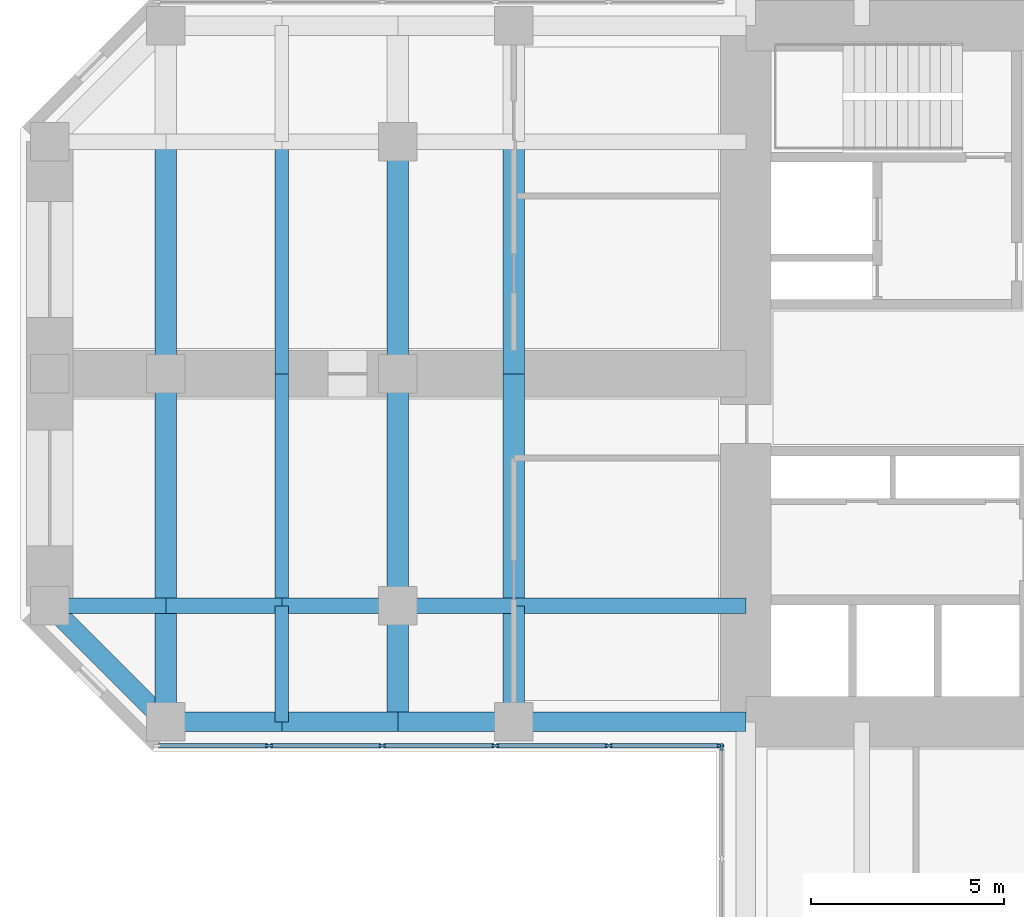
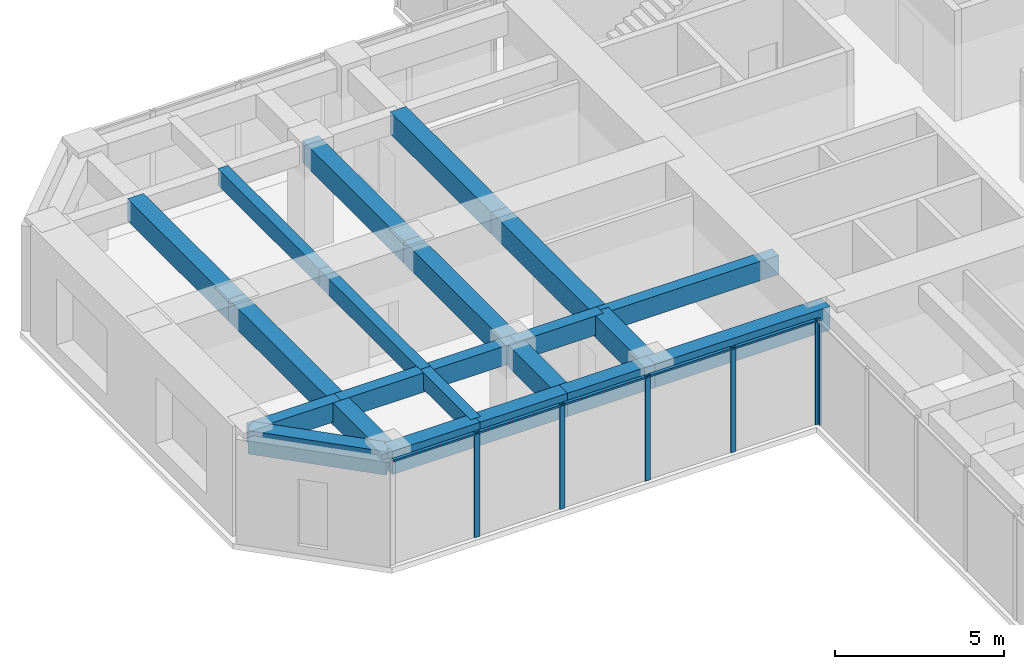
# One storey, part 3 of 12: 22 beams, 11 members, 2 elements without a shape of their own.
"""IFC4 building model written with IfcOpenShell, lengths in metres."""

from ifc_helpers import new_model, si_unit, direction, frame, origin, origin_2d, place, context, subcontext, project, spatial, rectangle, extrude, material, material_profile, profile_set, type_object, element, aggregate, save


model = new_model("IFC4")

# Units and contexts
model_context = context("Model", 3, precision=1e-05, world=origin(), true_north=direction((0.0, 1.0)))
body_context = subcontext(model_context, "Body", "Model", "MODEL_VIEW")
ifc_project = project(units=[si_unit("LENGTHUNIT", "METRE"), si_unit("AREAUNIT", "SQUARE_METRE"), si_unit("VOLUMEUNIT", "CUBIC_METRE"), si_unit("PLANEANGLEUNIT", "RADIAN"), si_unit("MASSUNIT", "GRAM", prefix="KILO")], contexts=[model_context])

# Site, building, storey
site_placement = place(None, origin())
site = spatial("IfcSite", under=ifc_project, at=site_placement, CompositionType="ELEMENT")
building_placement = place(site_placement, origin())
building = spatial("IfcBuilding", under=site, at=building_placement, Name="Torre Cruceta", CompositionType="ELEMENT")
storey_placement = place(building_placement, frame((0.0, 0.0, 116.5)))
storey = spatial("IfcBuildingStorey", under=building, at=storey_placement, Name="L28", CompositionType="ELEMENT", Elevation=116.5)

# Beams
ifc_material_1 = material(Name="Concrete G60 (fck 60 MPa)", Category="concrete")
ifc_material_profile_1 = material_profile(ifc_material_1, rectangle(XDim=0.39990234375, YDim=0.699951171875, at=origin_2d()), Name="RC 400X700")
ifc_profile_set_1 = profile_set([ifc_material_profile_1], Name="Concrete G60 (fck 60 MPa)")
beam_type_1 = type_object("IfcBeamType", Name="COLUMN LINE BEAM RC 400X700", PredefinedType="BEAM", material=ifc_profile_set_1)
beam_1_placement = place(storey_placement, frame((-9.0, -6.0, 3.449951171875), z_axis=(-1.0, 0.0, 0.0), x_axis=(0.0, -1.0, 0.0)))
element("IfcBeam", 1, at=beam_1_placement, inside=storey, type_object=beam_type_1, Name="LB5 L28 W col+ 1", PredefinedType="BEAM", context=body_context, shape_type="SweptSolid", body=[
    extrude(rectangle(XDim=0.39990234375, YDim=0.699951171875, at=origin_2d()), origin(), (0.0, 0.0, 1.0), 6.0),
])
for number, where, z_axis, x_axis, name in (
    (2, (-15.0, -6.0, 3.449951171875), (-1.0, 0.0, 0.0), (0.0, -1.0, 0.0), "LB5 L28 W col+ 2"),
    (3, (-18.0, -6.0, 3.449951171875), (-1.0, 0.0, 0.0), (0.0, -1.0, 0.0), "LB5 L28 W col+ 3"),
    (4, (-21.0, -6.0, 3.449951171875), (-1.0, 0.0, 0.0), (0.0, -1.0, 0.0), "LB5 L28 W col+ 4"),
    (5, (-24.0, -6.0, 3.449951171875), (-1.0, 0.0, 0.0), (0.0, -1.0, 0.0), "LB5 L28 W col+ 5"),
):
    element("IfcBeam", number, at=place(storey_placement, frame(where, z_axis=z_axis, x_axis=x_axis)), inside=storey, type_object=beam_type_1, Name=name, PredefinedType="BEAM", context=body_context, shape_type="SweptSolid", body=[
        extrude(rectangle(XDim=0.39990234375, YDim=0.699951171875, at=origin_2d()), origin(), (0.0, 0.0, 1.0), 3.0),
    ])
ifc_material_2 = material(Name="Concrete G60 (fck 60 MPa)", Category="concrete")
ifc_material_profile_2 = material_profile(ifc_material_2, rectangle(XDim=0.550048828125, YDim=0.800048828125, at=origin_2d()), Name="RC 550X800")
ifc_profile_set_2 = profile_set([ifc_material_profile_2], Name="Concrete G60 (fck 60 MPa)")
beam_type_2 = type_object("IfcBeamType", Name="CROSS BEAM RC 550X800", PredefinedType="BEAM", material=ifc_profile_set_2)
for number, where, z_axis, x_axis, name in (
    (6, (-15.0, 6.0, 3.39990234375), (0.0, -1.0, 0.0), (1.0, 0.0, 0.0), "GB5 L28 W cross15 2"),
    (7, (-15.0, 0.0, 3.39990234375), (0.0, -1.0, 0.0), (1.0, 0.0, 0.0), "GB5 L28 W cross15 3"),
):
    element("IfcBeam", number, at=place(storey_placement, frame(where, z_axis=z_axis, x_axis=x_axis)), inside=storey, type_object=beam_type_2, Name=name, PredefinedType="BEAM", context=body_context, shape_type="SweptSolid", body=[
        extrude(rectangle(XDim=0.550048828125, YDim=0.800048828125, at=origin_2d()), origin(), (0.0, 0.0, 1.0), 6.0),
    ])
beam_2_placement = place(storey_placement, frame((-15.0, -6.0, 3.39990234375), z_axis=(0.0, -1.0, 0.0), x_axis=(1.0, 0.0, 0.0)))
element("IfcBeam", 8, at=beam_2_placement, inside=storey, type_object=beam_type_2, Name="GB5 L28 W cross15 4", PredefinedType="BEAM", context=body_context, shape_type="SweptSolid", body=[
    extrude(rectangle(XDim=0.550048828125, YDim=0.800048828125, at=origin_2d()), origin(), (0.0, 0.0, 1.0), 3.0),
])
for number, where, z_axis, x_axis, name in (
    (9, (-18.0, 6.0, 3.39990234375), (0.0, -1.0, 0.0), (1.0, 0.0, 0.0), "GB5 L28 W cross18 2"),
    (10, (-18.0, 0.0, 3.39990234375), (0.0, -1.0, 0.0), (1.0, 0.0, 0.0), "GB5 L28 W cross18 3"),
):
    element("IfcBeam", number, at=place(storey_placement, frame(where, z_axis=z_axis, x_axis=x_axis)), inside=storey, type_object=beam_type_2, Name=name, PredefinedType="BEAM", context=body_context, shape_type="SweptSolid", body=[
        extrude(rectangle(XDim=0.550048828125, YDim=0.800048828125, at=origin_2d()), origin(), (0.0, 0.0, 1.0), 6.0),
    ])
beam_3_placement = place(storey_placement, frame((-18.0, -6.0, 3.39990234375), z_axis=(0.0, -1.0, 0.0), x_axis=(1.0, 0.0, 0.0)))
element("IfcBeam", 11, at=beam_3_placement, inside=storey, type_object=beam_type_2, Name="GB5 L28 W cross18 4", PredefinedType="BEAM", context=body_context, shape_type="SweptSolid", body=[
    extrude(rectangle(XDim=0.550048828125, YDim=0.800048828125, at=origin_2d()), origin(), (0.0, 0.0, 1.0), 3.0),
])
for number, where, z_axis, x_axis, name in (
    (12, (-24.0, 6.0, 3.39990234375), (0.0, -1.0, 0.0), (1.0, 0.0, 0.0), "GB5 L28 W cross24 2"),
    (13, (-24.0, 0.0, 3.39990234375), (0.0, -1.0, 0.0), (1.0, 0.0, 0.0), "GB5 L28 W cross24 3"),
):
    element("IfcBeam", number, at=place(storey_placement, frame(where, z_axis=z_axis, x_axis=x_axis)), inside=storey, type_object=beam_type_2, Name=name, PredefinedType="BEAM", context=body_context, shape_type="SweptSolid", body=[
        extrude(rectangle(XDim=0.550048828125, YDim=0.800048828125, at=origin_2d()), origin(), (0.0, 0.0, 1.0), 6.0),
    ])
beam_4_placement = place(storey_placement, frame((-24.0, -6.0, 3.39990234375), z_axis=(0.0, -1.0, 0.0), x_axis=(1.0, 0.0, 0.0)))
element("IfcBeam", 14, at=beam_4_placement, inside=storey, type_object=beam_type_2, Name="GB5 L28 W cross24 4", PredefinedType="BEAM", context=body_context, shape_type="SweptSolid", body=[
    extrude(rectangle(XDim=0.550048828125, YDim=0.800048828125, at=origin_2d()), origin(), (0.0, 0.0, 1.0), 3.0),
])

# Curtain wall, members
ifc_material_3 = material(Name="Aluminium unitised curtain wall", Category="aluminium")
curtain_wall_type = type_object("IfcCurtainWallType", Name="CURTAIN WALL CW-B OFFICE MID RISE", PredefinedType="USERDEFINED", material=ifc_material_3)
curtain_wall_1_placement = place(storey_placement, origin())
curtain_wall_1 = element("IfcCurtainWall", 15, at=curtain_wall_1_placement, inside=storey, type_object=curtain_wall_type, Name="CW-B L28 W side 14", ObjectType="UNITISED", PredefinedType="USERDEFINED")
ifc_material_4 = material(Name="Aluminium mullion", Category="aluminium")
ifc_material_profile_3 = material_profile(ifc_material_4, rectangle(XDim=0.06494140625, YDim=0.179931640625, at=origin_2d()), Name="AL 65X180")
ifc_profile_set_3 = profile_set([ifc_material_profile_3], Name="Aluminium mullion")
member_type_1 = type_object("IfcMemberType", Name="CW-B MULLION 65X180", PredefinedType="MULLION", material=ifc_profile_set_3)
member_1_placement = place(storey_placement, frame((-21.329345703125, -9.6201171875, 0.0), z_axis=(0.0, 0.0, 1.0), x_axis=(0.0, 1.0, 0.0)))
member_1 = element("IfcMember", 16, at=member_1_placement, type_object=member_type_1, Name="CW-B mullion 2", PredefinedType="MULLION", context=body_context, shape_type="SweptSolid", body=[
    extrude(rectangle(XDim=0.06494140625, YDim=0.179931640625, at=origin_2d()), origin(), (0.0, 0.0, 1.0), 3.800048828125),
])
member_2_placement = place(storey_placement, frame((-18.402099609375, -9.6201171875, 0.0), z_axis=(0.0, 0.0, 1.0), x_axis=(0.0, 1.0, 0.0)))
member_2 = element("IfcMember", 17, at=member_2_placement, type_object=member_type_1, Name="CW-B mullion 3", PredefinedType="MULLION", context=body_context, shape_type="SweptSolid", body=[
    extrude(rectangle(XDim=0.06494140625, YDim=0.179931640625, at=origin_2d()), origin(), (0.0, 0.0, 1.0), 3.800048828125),
])
member_3_placement = place(storey_placement, frame((-15.474609375, -9.6201171875, 0.0), z_axis=(0.0, 0.0, 1.0), x_axis=(0.0, 1.0, 0.0)))
member_3 = element("IfcMember", 18, at=member_3_placement, type_object=member_type_1, Name="CW-B mullion 4", PredefinedType="MULLION", context=body_context, shape_type="SweptSolid", body=[
    extrude(rectangle(XDim=0.06494140625, YDim=0.179931640625, at=origin_2d()), origin(), (0.0, 0.0, 1.0), 3.800048828125),
])
member_4_placement = place(storey_placement, frame((-12.54736328125, -9.6201171875, 0.0), z_axis=(0.0, 0.0, 1.0), x_axis=(0.0, 1.0, 0.0)))
member_4 = element("IfcMember", 19, at=member_4_placement, type_object=member_type_1, Name="CW-B mullion 5", PredefinedType="MULLION", context=body_context, shape_type="SweptSolid", body=[
    extrude(rectangle(XDim=0.06494140625, YDim=0.179931640625, at=origin_2d()), origin(), (0.0, 0.0, 1.0), 3.800048828125),
])
member_5_placement = place(storey_placement, frame((-9.652587890625, -9.6201171875, 0.0), z_axis=(0.0, 0.0, 1.0), x_axis=(0.0, 1.0, 0.0)))
member_5 = element("IfcMember", 20, at=member_5_placement, type_object=member_type_1, Name="CW-B mullion 6", PredefinedType="MULLION", context=body_context, shape_type="SweptSolid", body=[
    extrude(rectangle(XDim=0.06494140625, YDim=0.179931640625, at=origin_2d()), origin(), (0.0, 0.0, 1.0), 3.800048828125),
])

# Curtain wall, member
curtain_wall_2_placement = place(storey_placement, origin())
curtain_wall_2 = element("IfcCurtainWall", 21, at=curtain_wall_2_placement, inside=storey, type_object=curtain_wall_type, Name="CW-B L28 S side 15", ObjectType="UNITISED", PredefinedType="USERDEFINED")
member_6_placement = place(storey_placement, frame((-9.6201171875, -9.652587890625, 0.0), z_axis=(0.0, 0.0, 1.0), x_axis=(1.0, 0.0, 0.0)))
member_6 = element("IfcMember", 22, at=member_6_placement, type_object=member_type_1, Name="CW-B mullion 1", PredefinedType="MULLION", context=body_context, shape_type="SweptSolid", body=[
    extrude(rectangle(XDim=0.06494140625, YDim=0.179931640625, at=origin_2d()), origin(), (0.0, 0.0, 1.0), 3.800048828125),
])
aggregate(curtain_wall_2, [member_6])

# Member
ifc_material_5 = material(Name="Aluminium transom", Category="aluminium")
ifc_material_profile_4 = material_profile(ifc_material_5, rectangle(XDim=0.110107421875, YDim=0.06494140625, at=origin_2d()), Name="AL 110X65")
ifc_profile_set_4 = profile_set([ifc_material_profile_4], Name="Aluminium transom")
member_type_2 = type_object("IfcMemberType", Name="CW-B TRANSOM 65X110", PredefinedType="USERDEFINED", material=ifc_profile_set_4)
member_7_placement = place(storey_placement, frame((-24.19189453125, -9.6201171875, 3.767578125), z_axis=(1.0, 0.0, 0.0), x_axis=(0.0, 1.0, 0.0)))
member_7 = element("IfcMember", 23, at=member_7_placement, type_object=member_type_2, Name="CW-B transom 1", ObjectType="TRANSOM", PredefinedType="USERDEFINED", context=body_context, shape_type="SweptSolid", body=[
    extrude(rectangle(XDim=0.110107421875, YDim=0.06494140625, at=origin_2d()), origin(), (0.0, 0.0, 1.0), 2.829833984375),
])

member_8_placement = place(storey_placement, frame((-21.296875, -9.6201171875, 3.767578125), z_axis=(1.0, 0.0, 0.0), x_axis=(0.0, 1.0, 0.0)))
member_8 = element("IfcMember", 24, at=member_8_placement, type_object=member_type_2, Name="CW-B transom 2", ObjectType="TRANSOM", PredefinedType="USERDEFINED", context=body_context, shape_type="SweptSolid", body=[
    extrude(rectangle(XDim=0.110107421875, YDim=0.06494140625, at=origin_2d()), origin(), (0.0, 0.0, 1.0), 2.8623046875),
])

member_9_placement = place(storey_placement, frame((-18.36962890625, -9.6201171875, 3.767578125), z_axis=(1.0, 0.0, 0.0), x_axis=(0.0, 1.0, 0.0)))
member_9 = element("IfcMember", 25, at=member_9_placement, type_object=member_type_2, Name="CW-B transom 3", ObjectType="TRANSOM", PredefinedType="USERDEFINED", context=body_context, shape_type="SweptSolid", body=[
    extrude(rectangle(XDim=0.110107421875, YDim=0.06494140625, at=origin_2d()), origin(), (0.0, 0.0, 1.0), 2.8623046875),
])

member_10_placement = place(storey_placement, frame((-15.442138671875, -9.6201171875, 3.767578125), z_axis=(1.0, 0.0, 0.0), x_axis=(0.0, 1.0, 0.0)))
member_10 = element("IfcMember", 26, at=member_10_placement, type_object=member_type_2, Name="CW-B transom 4", ObjectType="TRANSOM", PredefinedType="USERDEFINED", context=body_context, shape_type="SweptSolid", body=[
    extrude(rectangle(XDim=0.110107421875, YDim=0.06494140625, at=origin_2d()), origin(), (0.0, 0.0, 1.0), 2.8623046875),
])

member_11_placement = place(storey_placement, frame((-12.514892578125, -9.6201171875, 3.767578125), z_axis=(1.0, 0.0, 0.0), x_axis=(0.0, 1.0, 0.0)))
member_11 = element("IfcMember", 27, at=member_11_placement, type_object=member_type_2, Name="CW-B transom 5", ObjectType="TRANSOM", PredefinedType="USERDEFINED", context=body_context, shape_type="SweptSolid", body=[
    extrude(rectangle(XDim=0.110107421875, YDim=0.06494140625, at=origin_2d()), origin(), (0.0, 0.0, 1.0), 2.829833984375),
])

aggregate(curtain_wall_1, [member_1, member_2, member_3, member_4, member_5, member_7, member_8, member_9, member_10, member_11])

# Beams
ifc_material_6 = material(Name="Concrete G60 (fck 60 MPa)", Category="concrete")
ifc_material_profile_5 = material_profile(ifc_material_6, rectangle(XDim=0.35009765625, YDim=0.60009765625, at=origin_2d()), Name="RC 350X600")
ifc_profile_set_5 = profile_set([ifc_material_profile_5], Name="Concrete G60 (fck 60 MPa)")
beam_type_3 = type_object("IfcBeamType", Name="SECONDARY BEAM RC 350X600", PredefinedType="JOIST", material=ifc_profile_set_5)
for number, where, z_axis, x_axis, name in (
    (28, (-21.0, 6.0, 3.5), (0.0, -1.0, 0.0), (1.0, 0.0, 0.0), "JB5 L28 W sec21 2"),
    (29, (-21.0, 0.0, 3.5), (0.0, -1.0, 0.0), (1.0, 0.0, 0.0), "JB5 L28 W sec21 3"),
):
    element("IfcBeam", number, at=place(storey_placement, frame(where, z_axis=z_axis, x_axis=x_axis)), inside=storey, type_object=beam_type_3, Name=name, PredefinedType="JOIST", context=body_context, shape_type="SweptSolid", body=[
        extrude(rectangle(XDim=0.35009765625, YDim=0.60009765625, at=origin_2d()), origin(), (0.0, 0.0, 1.0), 6.0),
    ])
beam_5_placement = place(storey_placement, frame((-21.0, -6.0, 3.5), z_axis=(0.0, -1.0, 0.0), x_axis=(1.0, 0.0, 0.0)))
element("IfcBeam", 30, at=beam_5_placement, inside=storey, type_object=beam_type_3, Name="JB5 L28 W sec21 4", PredefinedType="JOIST", context=body_context, shape_type="SweptSolid", body=[
    extrude(rectangle(XDim=0.35009765625, YDim=0.60009765625, at=origin_2d()), origin(), (0.0, 0.0, 1.0), 3.0),
])
ifc_material_7 = material(Name="Concrete G60 (fck 60 MPa)", Category="concrete")
ifc_material_profile_6 = material_profile(ifc_material_7, rectangle(XDim=0.5, YDim=0.85009765625, at=origin_2d()), Name="RC 500X850")
ifc_profile_set_6 = profile_set([ifc_material_profile_6], Name="Concrete G60 (fck 60 MPa)")
beam_type_4 = type_object("IfcBeamType", Name="SPANDREL BEAM RC 500X850", PredefinedType="SPANDREL", material=ifc_profile_set_6)
beam_6_placement = place(storey_placement, frame((-9.0, -9.0, 3.375), z_axis=(-1.0, 0.0, 0.0), x_axis=(0.0, -1.0, 0.0)))
element("IfcBeam", 31, at=beam_6_placement, inside=storey, type_object=beam_type_4, Name="SB5 L28 W side+ 1", PredefinedType="SPANDREL", context=body_context, shape_type="SweptSolid", body=[
    extrude(rectangle(XDim=0.5, YDim=0.85009765625, at=origin_2d()), origin(), (0.0, 0.0, 1.0), 6.0),
])
for number, where, z_axis, x_axis, name in (
    (32, (-15.0, -9.0, 3.375), (-1.0, 0.0, 0.0), (0.0, -1.0, 0.0), "SB5 L28 W side+ 2"),
    (33, (-18.0, -9.0, 3.375), (-1.0, 0.0, 0.0), (0.0, -1.0, 0.0), "SB5 L28 W side+ 3"),
    (34, (-21.0, -9.0, 3.375), (-1.0, 0.0, 0.0), (0.0, -1.0, 0.0), "SB5 L28 W side+ 4"),
):
    element("IfcBeam", number, at=place(storey_placement, frame(where, z_axis=z_axis, x_axis=x_axis)), inside=storey, type_object=beam_type_4, Name=name, PredefinedType="SPANDREL", context=body_context, shape_type="SweptSolid", body=[
        extrude(rectangle(XDim=0.5, YDim=0.85009765625, at=origin_2d()), origin(), (0.0, 0.0, 1.0), 3.0),
    ])
beam_7_placement = place(storey_placement, frame((-24.0, -9.0, 3.375), z_axis=(-0.707106781187, 0.707106781187, 0.0), x_axis=(-0.707106781187, -0.707106781187, 0.0)))
element("IfcBeam", 35, at=beam_7_placement, inside=storey, type_object=beam_type_4, Name="SB5 L28 W side+ 5", PredefinedType="SPANDREL", context=body_context, shape_type="SweptSolid", body=[
    extrude(rectangle(XDim=0.5, YDim=0.85009765625, at=origin_2d()), origin(), (0.0, 0.0, 1.0), 4.24267578125),
])

save(model, "model.ifc")
